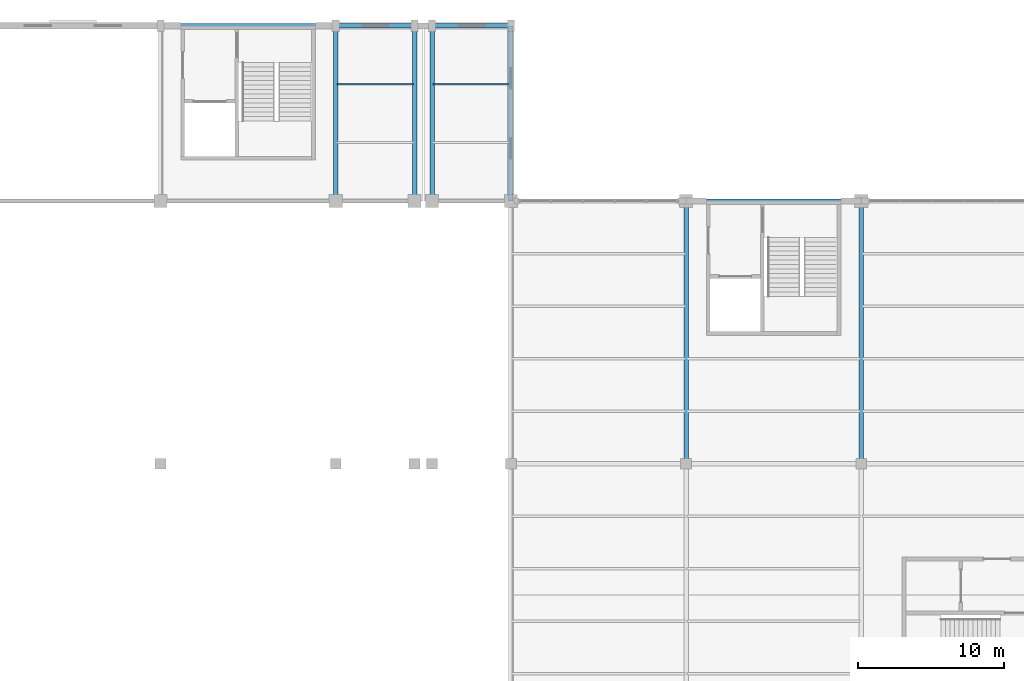
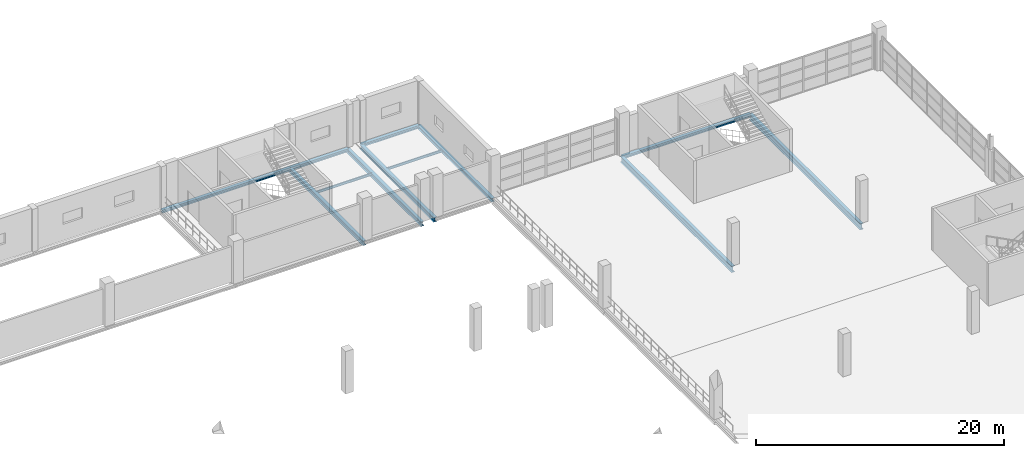
# One storey, part 121 of 158: 12 beams.
"""IFC4 building model written with IfcOpenShell, lengths in metres."""

from ifc_helpers import new_model, si_unit, direction, frame, origin, origin_2d, place, context, subcontext, project, spatial, i_section, extrude, material, material_profile, profile_set, type_object, element, save


model = new_model("IFC4")

# Units and contexts
model_context = context("Model", 3, precision=1e-05, world=origin(), true_north=direction((0.0, 1.0)))
body_context = subcontext(model_context, "Body", "Model", "MODEL_VIEW")
ifc_project = project(units=[si_unit("LENGTHUNIT", "METRE"), si_unit("AREAUNIT", "SQUARE_METRE"), si_unit("VOLUMEUNIT", "CUBIC_METRE"), si_unit("PLANEANGLEUNIT", "RADIAN"), si_unit("MASSUNIT", "GRAM", prefix="KILO")], contexts=[model_context])

# Site, building, storey
site_placement = place(None, origin())
site = spatial("IfcSite", under=ifc_project, at=site_placement, CompositionType="ELEMENT")
building_placement = place(site_placement, origin())
building = spatial("IfcBuilding", under=site, at=building_placement, Name="Zilviju Railside Exhibition Hall", CompositionType="ELEMENT")
storey_placement = place(building_placement, frame((0.0, 0.0, 4.199951171875)))
storey = spatial("IfcBuildingStorey", under=building, at=storey_placement, Name="L02", CompositionType="ELEMENT", Elevation=4.199951171875)

# Beams
ifc_material = material(Name="Steel S355J2", Category="steel")
ifc_material_profile_1 = material_profile(ifc_material, i_section(OverallWidth=0.300048828125, OverallDepth=0.2900390625, WebThickness=0.008544921875, FlangeThickness=0.013916015625, at=origin_2d()), Name="HEA 300")
ifc_profile_set_1 = profile_set([ifc_material_profile_1], Name="Steel S355J2")
beam_type_1 = type_object("IfcBeamType", Name="BM-HEA300", PredefinedType="SPANDREL", material=ifc_profile_set_1)
for number, where, z_axis, x_axis, name in (
    (1, (192.0, 138.0, -0.474853515625), (1.0, 0.0, 0.0), (0.0, 1.0, 0.0), "Primary Girder L02 Y=138.0 (192.0..204.0)"),
    (2, (156.0, 150.0, -0.474853515625), (1.0, 0.0, 0.0), (0.0, 1.0, 0.0), "Primary Girder L02 Y=150.0 (156.0..168.0)"),
):
    element("IfcBeam", number, at=place(storey_placement, frame(where, z_axis=z_axis, x_axis=x_axis)), inside=storey, type_object=beam_type_1, Name=name, PredefinedType="SPANDREL", context=body_context, shape_type="SweptSolid", body=[
        extrude(i_section(OverallWidth=0.300048828125, OverallDepth=0.2900390625, WebThickness=0.008544921875, FlangeThickness=0.013916015625, at=origin_2d()), origin(), (0.0, 0.0, 1.0), 12.0),
    ])
for number, where, z_axis, x_axis, name in (
    (3, (168.0, 150.0, -0.474853515625), (1.0, 0.0, 0.0), (0.0, 1.0, 0.0), "Primary Girder L02 Y=150.0 (168.0..173.4)"),
    (4, (174.60009765625, 150.0, -0.474853515625), (1.0, 0.0, 0.0), (0.0, 1.0, 0.0), "Primary Girder L02 Y=150.0 (174.6..180.0)"),
):
    element("IfcBeam", number, at=place(storey_placement, frame(where, z_axis=z_axis, x_axis=x_axis)), inside=storey, type_object=beam_type_1, Name=name, PredefinedType="SPANDREL", context=body_context, shape_type="SweptSolid", body=[
        extrude(i_section(OverallWidth=0.300048828125, OverallDepth=0.2900390625, WebThickness=0.008544921875, FlangeThickness=0.013916015625, at=origin_2d()), origin(), (0.0, 0.0, 1.0), 5.39990234375),
    ])
ifc_material_profile_2 = material_profile(ifc_material, i_section(OverallWidth=0.300048828125, OverallDepth=0.35009765625, WebThickness=0.010009765625, FlangeThickness=0.017578125, at=origin_2d()), Name="HEA 360")
ifc_profile_set_2 = profile_set([ifc_material_profile_2], Name="Steel S355J2")
beam_type_2 = type_object("IfcBeamType", Name="BM-HEA360", PredefinedType="BEAM", material=ifc_profile_set_2)
beam_placement = place(storey_placement, frame((180.0, 138.0, -0.5048828125), z_axis=(0.0, 1.0, 0.0), x_axis=(-1.0, 0.0, 0.0)))
element("IfcBeam", 5, at=beam_placement, inside=storey, type_object=beam_type_2, Name="Transverse Girder L02 X=180.0 (138.0..150.0)", PredefinedType="BEAM", context=body_context, shape_type="SweptSolid", body=[
    extrude(i_section(OverallWidth=0.300048828125, OverallDepth=0.35009765625, WebThickness=0.010009765625, FlangeThickness=0.017578125, at=origin_2d()), origin(), (0.0, 0.0, 1.0), 12.0),
])
ifc_material_profile_3 = material_profile(ifc_material, i_section(OverallWidth=0.300048828125, OverallDepth=0.449951171875, WebThickness=0.013916015625, FlangeThickness=0.02587890625, at=origin_2d()), Name="HEB 450")
ifc_profile_set_3 = profile_set([ifc_material_profile_3], Name="Steel S355J2")
beam_type_3 = type_object("IfcBeamType", Name="BM-HEB450", PredefinedType="BEAM", material=ifc_profile_set_3)
for number, where, z_axis, x_axis, name in (
    (6, (168.0, 138.0, -0.554931640625), (0.0, 1.0, 0.0), (-1.0, 0.0, 0.0), "Transverse Girder L02 X=168.0 (138.0..150.0)"),
    (7, (173.39990234375, 138.0, -0.554931640625), (0.0, 1.0, 0.0), (-1.0, 0.0, 0.0), "Transverse Girder L02 X=173.4 (138.0..150.0)"),
    (8, (174.60009765625, 138.0, -0.554931640625), (0.0, 1.0, 0.0), (-1.0, 0.0, 0.0), "Transverse Girder L02 X=174.6 (138.0..150.0)"),
):
    element("IfcBeam", number, at=place(storey_placement, frame(where, z_axis=z_axis, x_axis=x_axis)), inside=storey, type_object=beam_type_3, Name=name, PredefinedType="BEAM", context=body_context, shape_type="SweptSolid", body=[
        extrude(i_section(OverallWidth=0.300048828125, OverallDepth=0.449951171875, WebThickness=0.013916015625, FlangeThickness=0.02587890625, at=origin_2d()), origin(), (0.0, 0.0, 1.0), 12.0),
    ])
ifc_material_profile_4 = material_profile(ifc_material, i_section(OverallWidth=0.300048828125, OverallDepth=0.60009765625, WebThickness=0.015380859375, FlangeThickness=0.030029296875, at=origin_2d()), Name="HEB 600")
ifc_profile_set_4 = profile_set([ifc_material_profile_4], Name="Steel S355J2")
beam_type_4 = type_object("IfcBeamType", Name="BM-HEB600", PredefinedType="BEAM", material=ifc_profile_set_4)
for number, where, z_axis, x_axis, name in (
    (9, (192.0, 120.0, -0.6298828125), (0.0, 1.0, 0.0), (-1.0, 0.0, 0.0), "Transverse Girder L02 X=192.0 (120.0..138.0)"),
    (10, (204.0, 120.0, -0.6298828125), (0.0, 1.0, 0.0), (-1.0, 0.0, 0.0), "Transverse Girder L02 X=204.0 (120.0..138.0)"),
):
    element("IfcBeam", number, at=place(storey_placement, frame(where, z_axis=z_axis, x_axis=x_axis)), inside=storey, type_object=beam_type_4, Name=name, PredefinedType="BEAM", context=body_context, shape_type="SweptSolid", body=[
        extrude(i_section(OverallWidth=0.300048828125, OverallDepth=0.60009765625, WebThickness=0.015380859375, FlangeThickness=0.030029296875, at=origin_2d()), origin(), (0.0, 0.0, 1.0), 18.0),
    ])
ifc_material_profile_5 = material_profile(ifc_material, i_section(OverallWidth=0.1201171875, OverallDepth=0.239990234375, WebThickness=0.006103515625, FlangeThickness=0.009765625, at=origin_2d()), Name="IPE 240")
ifc_profile_set_5 = profile_set([ifc_material_profile_5], Name="Steel S355J2")
beam_type_5 = type_object("IfcBeamType", Name="BM-IPE240", PredefinedType="JOIST", material=ifc_profile_set_5)
for number, where, z_axis, x_axis, name in (
    (11, (168.080078125, 146.0, -0.449951171875), (1.0, 0.0, 0.0), (0.0, 1.0, 0.0), "Composite Floor Joist L02 Y=146.00 (168.0..173.4)"),
    (12, (174.679931640625, 146.0, -0.449951171875), (1.0, 0.0, 0.0), (0.0, 1.0, 0.0), "Composite Floor Joist L02 Y=146.00 (174.6..180.0)"),
):
    element("IfcBeam", number, at=place(storey_placement, frame(where, z_axis=z_axis, x_axis=x_axis)), inside=storey, type_object=beam_type_5, Name=name, PredefinedType="JOIST", context=body_context, shape_type="SweptSolid", body=[
        extrude(i_section(OverallWidth=0.1201171875, OverallDepth=0.239990234375, WebThickness=0.006103515625, FlangeThickness=0.009765625, at=origin_2d()), origin(), (0.0, 0.0, 1.0), 5.239990234375),
    ])

save(model, "model.ifc")
